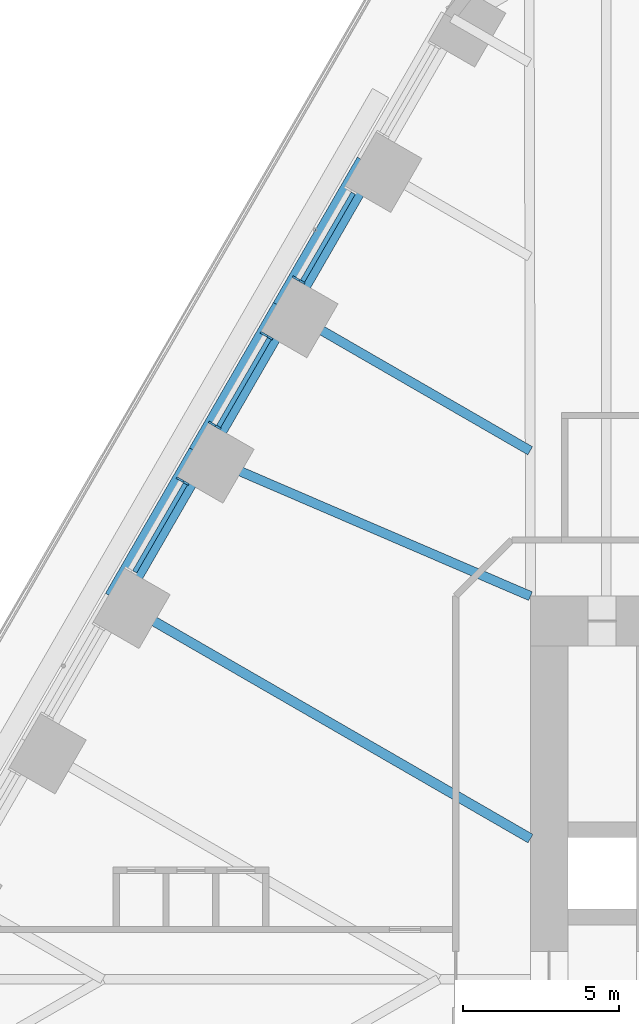
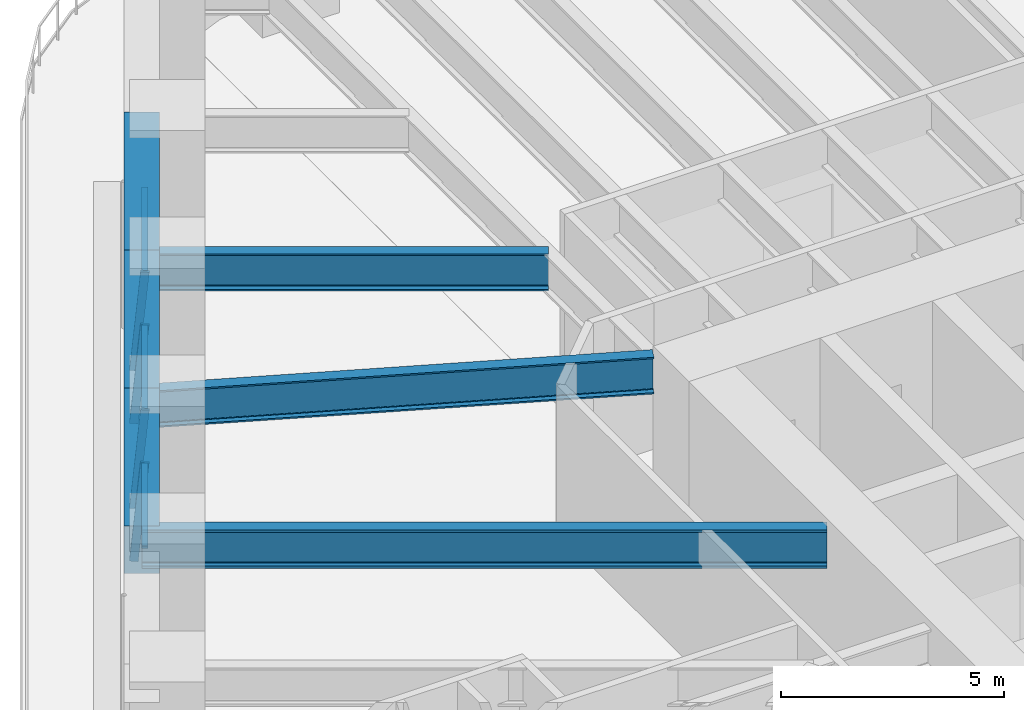
# One storey, part 8 of 23: 7 members, 6 beams, 3 elements without a shape of their own.
"""IFC4 building model written with IfcOpenShell, lengths in metres."""

from ifc_helpers import new_model, si_unit, direction, frame, origin, origin_2d, place, context, subcontext, project, spatial, rectangle, i_section, extrude, material, material_profile, profile_set, type_object, element, aggregate, save


model = new_model("IFC4")

# Units and contexts
model_context = context("Model", 3, precision=1e-05, world=origin(), true_north=direction((0.0, 1.0)))
body_context = subcontext(model_context, "Body", "Model", "MODEL_VIEW")
ifc_project = project(units=[si_unit("LENGTHUNIT", "METRE"), si_unit("AREAUNIT", "SQUARE_METRE"), si_unit("VOLUMEUNIT", "CUBIC_METRE"), si_unit("PLANEANGLEUNIT", "RADIAN"), si_unit("MASSUNIT", "GRAM", prefix="KILO")], contexts=[model_context])

# Site, building, storey
site_placement = place(None, origin())
site = spatial("IfcSite", under=ifc_project, at=site_placement, CompositionType="ELEMENT")
building_placement = place(site_placement, origin())
building = spatial("IfcBuilding", under=site, at=building_placement, Name="Tarfa Lantern Tower", CompositionType="ELEMENT")
storey_placement = place(building_placement, frame((0.0, 0.0, 78.10009765625)))
storey = spatial("IfcBuildingStorey", under=building, at=storey_placement, Name="L17", CompositionType="ELEMENT", Elevation=78.10009765625)

# Curtain wall, member
ifc_material_1 = material(Name="Aluminium framed curtain wall", Category="aluminium")
curtain_wall_type = type_object("IfcCurtainWallType", Name="CW1 CANTED GLAZING LOW ZONE 2700", PredefinedType="USERDEFINED", material=ifc_material_1)
curtain_wall_1_placement = place(storey_placement, origin())
curtain_wall_1 = element("IfcCurtainWall", 1, at=curtain_wall_1_placement, inside=storey, type_object=curtain_wall_type, Name="CW1 NW L17", ObjectType="CURTAIN WALL", PredefinedType="USERDEFINED")
ifc_material_2 = material(Name="Aluminium mullion", Category="aluminium")
ifc_material_profile_1 = material_profile(ifc_material_2, rectangle(XDim=0.06494140625, YDim=0.199951171875, at=origin_2d()), Name="AL MULLION 65x200")
ifc_profile_set_1 = profile_set([ifc_material_profile_1], Name="Aluminium mullion")
member_type_1 = type_object("IfcMemberType", Name="CWM1 MULLION 65x200", PredefinedType="MULLION", material=ifc_profile_set_1)
member_1_placement = place(storey_placement, frame((-26.147705078125, 22.5107421875, 0.0), z_axis=(0.07986442134, -0.046099868913, 0.99573916077), x_axis=(0.499919672301, 0.866071776036, 0.0)))
member_1 = element("IfcMember", 2, at=member_1_placement, type_object=member_type_1, Name="CW1 mullion 2", PredefinedType="MULLION", context=body_context, shape_type="SweptSolid", body=[
    extrude(rectangle(XDim=0.06494140625, YDim=0.199951171875, at=origin_2d()), origin(), (0.0, 0.0, 1.0), 2.71142578125),
])

# Curtain wall, members
curtain_wall_2_placement = place(storey_placement, origin())
curtain_wall_2 = element("IfcCurtainWall", 3, at=curtain_wall_2_placement, inside=storey, type_object=curtain_wall_type, Name="CW1 NW L17", ObjectType="CURTAIN WALL", PredefinedType="USERDEFINED")
member_2_placement = place(storey_placement, frame((-27.18017578125, 20.722412109375, 0.0), z_axis=(0.07986442134, -0.046099868913, 0.99573916077), x_axis=(0.499919672301, 0.866071776036, 0.0)))
member_2 = element("IfcMember", 4, at=member_2_placement, type_object=member_type_1, Name="CW1 mullion 1", PredefinedType="MULLION", context=body_context, shape_type="SweptSolid", body=[
    extrude(rectangle(XDim=0.06494140625, YDim=0.199951171875, at=origin_2d()), origin(), (0.0, 0.0, 1.0), 2.71142578125),
])
member_3_placement = place(storey_placement, frame((-28.842041015625, 17.84423828125, 0.0), z_axis=(0.07986442134, -0.046099868913, 0.99573916077), x_axis=(0.499919672301, 0.866071776036, 0.0)))
member_3 = element("IfcMember", 5, at=member_3_placement, type_object=member_type_1, Name="CW1 mullion 2", PredefinedType="MULLION", context=body_context, shape_type="SweptSolid", body=[
    extrude(rectangle(XDim=0.06494140625, YDim=0.199951171875, at=origin_2d()), origin(), (0.0, 0.0, 1.0), 2.71142578125),
])

# Curtain wall, member
curtain_wall_3_placement = place(storey_placement, origin())
curtain_wall_3 = element("IfcCurtainWall", 6, at=curtain_wall_3_placement, inside=storey, type_object=curtain_wall_type, Name="CW1 NW L17", ObjectType="CURTAIN WALL", PredefinedType="USERDEFINED")
member_4_placement = place(storey_placement, frame((-29.87451171875, 16.055908203125, 0.0), z_axis=(0.07986442134, -0.046099868913, 0.99573916077), x_axis=(0.499919672301, 0.866071776036, 0.0)))
member_4 = element("IfcMember", 7, at=member_4_placement, type_object=member_type_1, Name="CW1 mullion 1", PredefinedType="MULLION", context=body_context, shape_type="SweptSolid", body=[
    extrude(rectangle(XDim=0.06494140625, YDim=0.199951171875, at=origin_2d()), origin(), (0.0, 0.0, 1.0), 2.71142578125),
])

# Member
ifc_material_3 = material(Name="Aluminium transom", Category="aluminium")
ifc_material_profile_2 = material_profile(ifc_material_3, rectangle(XDim=0.14990234375, YDim=0.06494140625, at=origin_2d()), Name="AL TRANSOM 150x65")
ifc_profile_set_2 = profile_set([ifc_material_profile_2], Name="Aluminium transom")
member_type_2 = type_object("IfcMemberType", Name="CWT1 TRANSOM 150x65", PredefinedType="USERDEFINED", material=ifc_profile_set_2)
member_5_placement = place(storey_placement, frame((-24.288330078125, 25.237548828125, 2.66748046875), z_axis=(-0.499966746847, -0.86604460165, 0.0), x_axis=(0.86604460165, -0.499966746847, 0.0)))
member_5 = element("IfcMember", 8, at=member_5_placement, type_object=member_type_2, Name="CW1 transom 1.2", ObjectType="TRANSOM", PredefinedType="USERDEFINED", context=body_context, shape_type="SweptSolid", body=[
    extrude(rectangle(XDim=0.14990234375, YDim=0.06494140625, at=origin_2d()), origin(), (0.0, 0.0, 1.0), 3.258544921875),
])

aggregate(curtain_wall_1, [member_1, member_5])

member_6_placement = place(storey_placement, frame((-26.982666015625, 20.57080078125, 2.66748046875), z_axis=(-0.499966746847, -0.86604460165, 0.0), x_axis=(0.86604460165, -0.499966746847, 0.0)))
member_6 = element("IfcMember", 9, at=member_6_placement, type_object=member_type_2, Name="CW1 transom 1.2", ObjectType="TRANSOM", PredefinedType="USERDEFINED", context=body_context, shape_type="SweptSolid", body=[
    extrude(rectangle(XDim=0.14990234375, YDim=0.06494140625, at=origin_2d()), origin(), (0.0, 0.0, 1.0), 3.258544921875),
])

aggregate(curtain_wall_2, [member_2, member_3, member_6])

member_7_placement = place(storey_placement, frame((-29.6767578125, 15.904296875, 2.66748046875), z_axis=(-0.500022939057, -0.866012159509, 0.0), x_axis=(0.866012159509, -0.500022939057, 0.0)))
member_7 = element("IfcMember", 10, at=member_7_placement, type_object=member_type_2, Name="CW1 transom 1.2", ObjectType="TRANSOM", PredefinedType="USERDEFINED", context=body_context, shape_type="SweptSolid", body=[
    extrude(rectangle(XDim=0.14990234375, YDim=0.06494140625, at=origin_2d()), origin(), (0.0, 0.0, 1.0), 3.258544921875),
])

aggregate(curtain_wall_3, [member_4, member_7])

# Beams
ifc_material_4 = material(Name="Concrete C80/95", Category="concrete")
ifc_material_profile_3 = material_profile(ifc_material_4, rectangle(XDim=0.800048828125, YDim=1.300048828125, at=origin_2d()), Name="RC 800x1300")
ifc_profile_set_3 = profile_set([ifc_material_profile_3], Name="Concrete C80/95")
beam_type_1 = type_object("IfcBeamType", Name="EB1 RC 800x1300", PredefinedType="SPANDREL", material=ifc_profile_set_3)
beam_1_placement = place(storey_placement, frame((-23.813720703125, 26.193359375, 3.349853515625), z_axis=(-0.499998287579, -0.866026392449, 0.0), x_axis=(0.866026392449, -0.499998287579, 0.0)))
element("IfcBeam", 11, at=beam_1_placement, inside=storey, type_object=beam_type_1, Name="Edge beam NW1", PredefinedType="SPANDREL", context=body_context, shape_type="SweptSolid", body=[
    extrude(rectangle(XDim=0.800048828125, YDim=1.300048828125, at=origin_2d()), origin(), (0.0, 0.0, 1.0), 5.388671875),
])
beam_2_placement = place(storey_placement, frame((-26.508056640625, 21.526611328125, 3.349853515625), z_axis=(-0.500017906299, -0.866015065331, 0.0), x_axis=(0.866015065331, -0.500017906299, 0.0)))
element("IfcBeam", 12, at=beam_2_placement, inside=storey, type_object=beam_type_1, Name="Edge beam NW2", PredefinedType="SPANDREL", context=body_context, shape_type="SweptSolid", body=[
    extrude(rectangle(XDim=0.800048828125, YDim=1.300048828125, at=origin_2d()), origin(), (0.0, 0.0, 1.0), 5.388427734375),
])
beam_3_placement = place(storey_placement, frame((-29.202392578125, 16.860107421875, 3.349853515625), z_axis=(-0.499998287579, -0.866026392449, 0.0), x_axis=(0.866026392449, -0.499998287579, 0.0)))
element("IfcBeam", 13, at=beam_3_placement, inside=storey, type_object=beam_type_1, Name="Edge beam NW3", PredefinedType="SPANDREL", context=body_context, shape_type="SweptSolid", body=[
    extrude(rectangle(XDim=0.800048828125, YDim=1.300048828125, at=origin_2d()), origin(), (0.0, 0.0, 1.0), 5.388671875),
])
ifc_material_5 = material(Name="Steel S460M", Category="steel")
ifc_material_profile_4 = material_profile(ifc_material_5, i_section(OverallWidth=0.302001953125, OverallDepth=1.008056640625, WebThickness=0.02099609375, FlangeThickness=0.0400390625, FilletRadius=0.030029296875, at=origin_2d()), Name="UB1016x305x349")
ifc_profile_set_4 = profile_set([ifc_material_profile_4], Name="Steel S460M")
beam_type_2 = type_object("IfcBeamType", Name="UB1016x305x349", PredefinedType="BEAM", material=ifc_profile_set_4)
beam_4_placement = place(storey_placement, frame((-26.508056640625, 21.526611328125, 3.495849609375), z_axis=(0.866035355799, -0.49998276221, 0.0), x_axis=(0.49998276221, 0.866035355799, 0.0)))
element("IfcBeam", 14, at=beam_4_placement, inside=storey, type_object=beam_type_2, Name="Floor beam NW2", PredefinedType="BEAM", context=body_context, shape_type="SweptSolid", body=[
    extrude(i_section(OverallWidth=0.302001953125, OverallDepth=1.008056640625, WebThickness=0.02099609375, FlangeThickness=0.0400390625, FilletRadius=0.030029296875, at=origin_2d()), origin(), (0.0, 0.0, 1.0), 9.119873046875),
])
beam_5_placement = place(storey_placement, frame((-29.202392578125, 16.860107421875, 3.495849609375), z_axis=(0.918635483867, -0.395106122175, 0.0), x_axis=(0.395106122175, 0.918635483867, 0.0)))
element("IfcBeam", 15, at=beam_5_placement, inside=storey, type_object=beam_type_2, Name="Floor beam NW3", PredefinedType="BEAM", context=body_context, shape_type="SweptSolid", body=[
    extrude(i_section(OverallWidth=0.302001953125, OverallDepth=1.008056640625, WebThickness=0.02099609375, FlangeThickness=0.0400390625, FilletRadius=0.030029296875, at=origin_2d()), origin(), (0.0, 0.0, 1.0), 11.541259765625),
])
ifc_material_profile_5 = material_profile(ifc_material_5, i_section(OverallWidth=0.314208984375, OverallDepth=1.055908203125, WebThickness=0.035888671875, FlangeThickness=0.06396484375, FilletRadius=0.030029296875, at=origin_2d()), Name="UB1016x305x584")
ifc_profile_set_5 = profile_set([ifc_material_profile_5], Name="Steel S460M")
beam_type_3 = type_object("IfcBeamType", Name="UB1016x305x584", PredefinedType="BEAM", material=ifc_profile_set_5)
beam_6_placement = place(storey_placement, frame((-31.896728515625, 12.193359375, 3.471923828125), z_axis=(0.866026971665, -0.499997284341, 0.0), x_axis=(0.499997284341, 0.866026971665, 0.0)))
element("IfcBeam", 16, at=beam_6_placement, inside=storey, type_object=beam_type_3, Name="Floor beam NW4", PredefinedType="BEAM", context=body_context, shape_type="SweptSolid", body=[
    extrude(i_section(OverallWidth=0.314208984375, OverallDepth=1.055908203125, WebThickness=0.035888671875, FlangeThickness=0.06396484375, FilletRadius=0.030029296875, at=origin_2d()), origin(), (0.0, 0.0, 1.0), 15.353515625),
])

save(model, "model.ifc")
